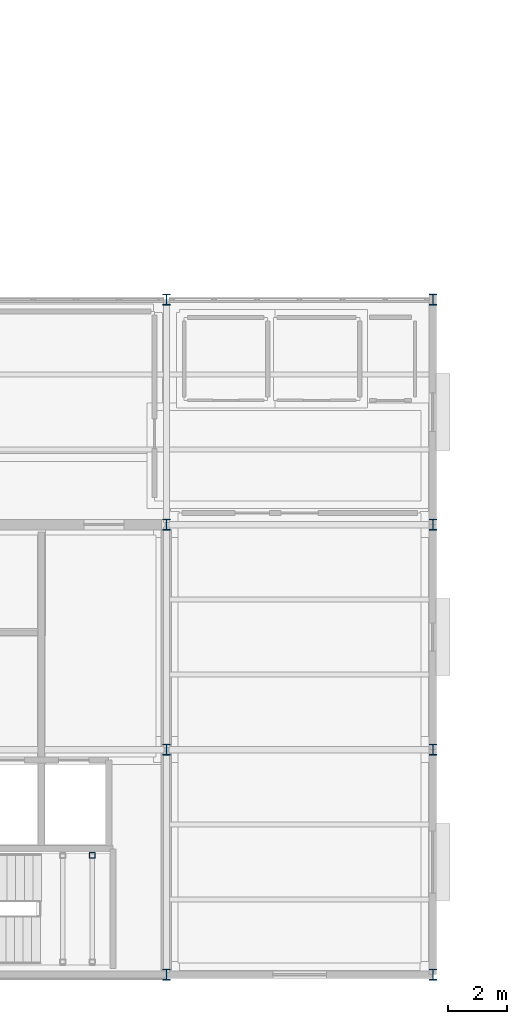
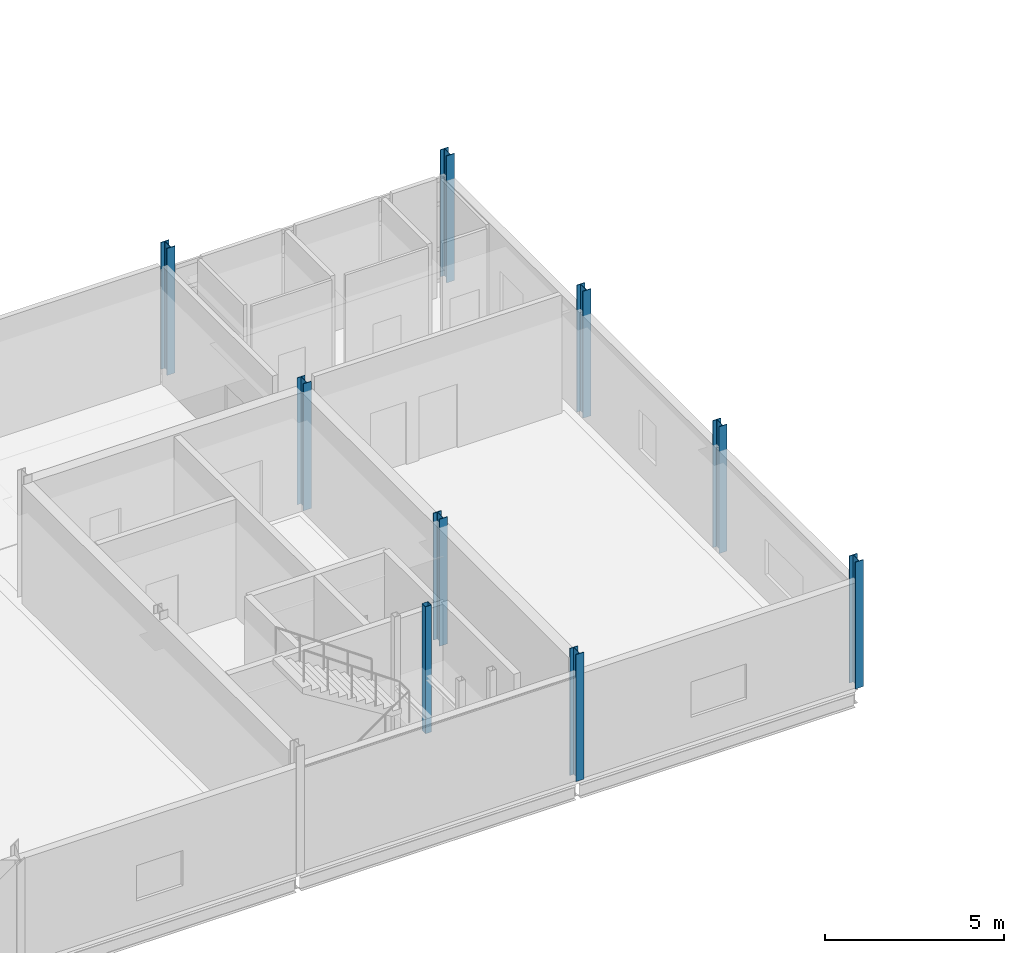
# One storey, part 6 of 96: 9 columns.
"""IFC4 building model written with IfcOpenShell, lengths in metres."""

from ifc_helpers import new_model, si_unit, direction, frame, origin, origin_2d, place, context, subcontext, project, spatial, hollow_rectangle, i_section, extrude, material, material_profile, profile_set, type_object, element, save


model = new_model("IFC4")

# Units and contexts
model_context = context("Model", 3, precision=1e-05, world=origin(), true_north=direction((0.0, 1.0)))
body_context = subcontext(model_context, "Body", "Model", "MODEL_VIEW")
ifc_project = project(units=[si_unit("LENGTHUNIT", "METRE"), si_unit("AREAUNIT", "SQUARE_METRE"), si_unit("VOLUMEUNIT", "CUBIC_METRE"), si_unit("PLANEANGLEUNIT", "RADIAN"), si_unit("MASSUNIT", "GRAM", prefix="KILO")], contexts=[model_context])

# Site, building, storey
site_placement = place(None, origin())
site = spatial("IfcSite", under=ifc_project, at=site_placement, CompositionType="ELEMENT")
building_placement = place(site_placement, origin())
building = spatial("IfcBuilding", under=site, at=building_placement, Name="Caisbarro Railhouse Central Library", CompositionType="ELEMENT")
storey_placement = place(building_placement, frame((0.0, 0.0, 13.679931640625)))
storey = spatial("IfcBuildingStorey", under=building, at=storey_placement, Name="L03", CompositionType="ELEMENT", Elevation=13.679931640625)

# Columns
ifc_material = material(Name="Steel ASTM A572 Grade 50", Category="steel")
ifc_material_profile_1 = material_profile(ifc_material, i_section(OverallWidth=0.257080078125, OverallDepth=0.363037109375, WebThickness=0.012939453125, FlangeThickness=0.021728515625, FilletRadius=0.014892578125, at=origin_2d()), Name="W360X122.0")
ifc_profile_set_1 = profile_set([ifc_material_profile_1], Name="Steel ASTM A572 Grade 50")
column_type_1 = type_object("IfcColumnType", Name="COL-C04", PredefinedType="COLUMN", material=ifc_profile_set_1)
for number, where, z_axis, x_axis, name in (
    (1, (99.0, 0.0, 0.0), (0.0, 0.0, 1.0), (1.0, 0.0, 0.0), "C04 column L03 (99.0,0.0)"),
    (2, (99.0, 7.60009765625, 0.0), (0.0, 0.0, 1.0), (1.0, 0.0, 0.0), "C04 column L03 (99.0,7.6)"),
    (3, (99.0, 15.199951171875, 0.0), (0.0, 0.0, 1.0), (1.0, 0.0, 0.0), "C04 column L03 (99.0,15.2)"),
    (4, (99.0, 22.800048828125, 0.0), (0.0, 0.0, 1.0), (1.0, 0.0, 0.0), "C04 column L03 (99.0,22.8)"),
    (5, (108.0, 0.0, 0.0), (0.0, 0.0, 1.0), (1.0, 0.0, 0.0), "C04 column L03 (108.0,0.0)"),
    (6, (108.0, 7.60009765625, 0.0), (0.0, 0.0, 1.0), (1.0, 0.0, 0.0), "C04 column L03 (108.0,7.6)"),
    (7, (108.0, 15.199951171875, 0.0), (0.0, 0.0, 1.0), (1.0, 0.0, 0.0), "C04 column L03 (108.0,15.2)"),
    (8, (108.0, 22.800048828125, 0.0), (0.0, 0.0, 1.0), (1.0, 0.0, 0.0), "C04 column L03 (108.0,22.8)"),
):
    element("IfcColumn", number, at=place(storey_placement, frame(where, z_axis=z_axis, x_axis=x_axis)), inside=storey, type_object=column_type_1, Name=name, PredefinedType="COLUMN", context=body_context, shape_type="SweptSolid", body=[
        extrude(i_section(OverallWidth=0.257080078125, OverallDepth=0.363037109375, WebThickness=0.012939453125, FlangeThickness=0.021728515625, FilletRadius=0.014892578125, at=origin_2d()), origin(), (0.0, 0.0, 1.0), 4.320068359375),
    ])
ifc_material_profile_2 = material_profile(ifc_material, hollow_rectangle(XDim=0.199951171875, YDim=0.199951171875, WallThickness=0.012451171875, at=origin_2d()), Name="HSS200X200X12.5")
ifc_profile_set_2 = profile_set([ifc_material_profile_2], Name="Steel ASTM A572 Grade 50")
column_type_2 = type_object("IfcColumnType", Name="COL-C10", PredefinedType="COLUMN", material=ifc_profile_set_2)
column_placement = place(storey_placement, frame((96.5, 4.030029296875, 0.0), z_axis=(0.0, 0.0, 1.0), x_axis=(1.0, 0.0, 0.0)))
element("IfcColumn", 9, at=column_placement, inside=storey, type_object=column_type_2, Name="C10 Stair Landing Post K2 L03.4", PredefinedType="COLUMN", context=body_context, shape_type="SweptSolid", body=[
    extrude(hollow_rectangle(XDim=0.199951171875, YDim=0.199951171875, WallThickness=0.012451171875, at=origin_2d()), origin(), (0.0, 0.0, 1.0), 4.320068359375),
])

save(model, "model.ifc")
